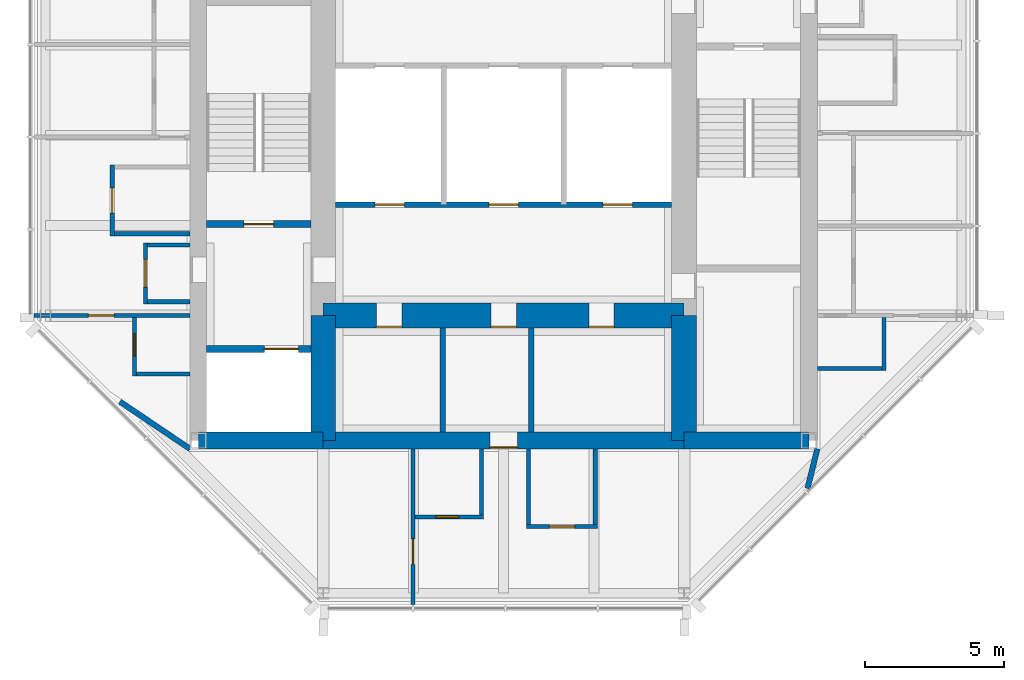
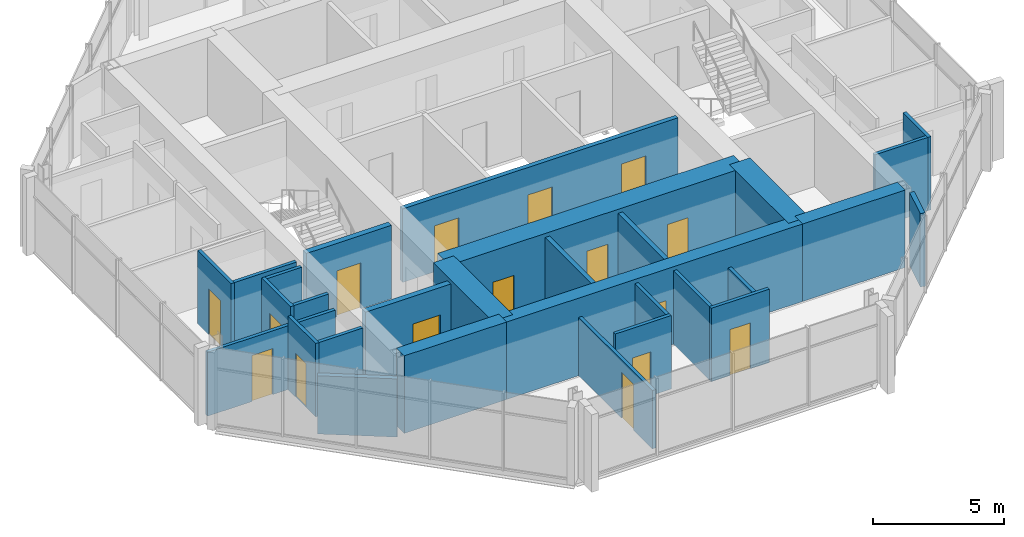
# One storey, part 5 of 9: 29 walls, 16 doors, 16 openings.
"""IFC4 building model written with IfcOpenShell, lengths in metres."""

import ifcopenshell
import ifcopenshell.guid

model = None  # the IFC model being written
_history = None  # IfcOwnerHistory: only IFC2X3 demands one
_inside = {}  # id of a spatial element -> (the spatial element, [elements in it])
_under = {}  # id of a project, library or spatial element -> (it, [spatial elements below it])
_declared = {}  # id of a project -> (the project, [libraries it declares])
_typed = {}  # id of a type object -> (the type object, [elements of that type])
_made_of = {}  # id of a material, layer set ... -> (it, [elements and type objects made of it])


def new_model(schema):
    """Start an empty IFC model of exactly this schema.

    Asked for "IFC4X3", IfcOpenShell would pick the latest addendum, in which some entities
    have other attributes; the version numbers below select the first issue.
    IFC2X3 requires an IfcOwnerHistory on every rooted entity: one is made here for all.
    """
    global model, _history
    if schema == "IFC4X3":
        model = ifcopenshell.file(schema_version=(4, 3, 0, 0))
    else:
        model = ifcopenshell.file(schema=schema)
    _inside.clear()
    _under.clear()
    _declared.clear()
    _typed.clear()
    _made_of.clear()
    _history = None
    if model.schema == "IFC2X3":
        org = make("IfcOrganization", Name="unknown")
        user = make(
            "IfcPersonAndOrganization",
            ThePerson=make("IfcPerson", FamilyName="unknown"),
            TheOrganization=org,
        )
        app = make(
            "IfcApplication",
            ApplicationDeveloper=org,
            Version="unknown",
            ApplicationFullName="unknown",
            ApplicationIdentifier="unknown",
        )
        _history = make(
            "IfcOwnerHistory",
            OwningUser=user,
            OwningApplication=app,
            ChangeAction="ADDED",
            CreationDate=0,
        )
    return model


def make(cls, **values):
    """One entity of the class cls with the attributes given. An attribute that is None is left unset."""
    return model.create_entity(
        cls, **{name: value for name, value in values.items() if value is not None}
    )


def rooted(cls, **values):
    """An entity with a GlobalId (a new one), such as an element, a storey or a relation."""
    return make(cls, GlobalId=ifcopenshell.guid.new(), OwnerHistory=_history, **values)


def si_unit(unit_type, name, prefix=None):
    """IfcSIUnit, for example si_unit("LENGTHUNIT", "METRE", prefix="MILLI")."""
    return make("IfcSIUnit", UnitType=unit_type, Prefix=prefix, Name=name)


def assignment(units):
    """IfcUnitAssignment: the units of a project."""
    return None if units is None else make("IfcUnitAssignment", Units=units)


def point(xyz):
    """IfcCartesianPoint."""
    return None if xyz is None else make("IfcCartesianPoint", Coordinates=xyz)


def direction(xyz):
    """IfcDirection."""
    return None if xyz is None else make("IfcDirection", DirectionRatios=xyz)


def frame(location, z_axis=None, x_axis=None):
    """IfcAxis2Placement3D, a coordinate frame: its origin and axes. An axis left out is left unset."""
    return make(
        "IfcAxis2Placement3D",
        Location=point(location),
        Axis=direction(z_axis),
        RefDirection=direction(x_axis),
    )


def frame_2d(location, x_axis=None):
    """IfcAxis2Placement2D, a coordinate frame in the plane: its origin and x axis."""
    return make(
        "IfcAxis2Placement2D", Location=point(location), RefDirection=direction(x_axis)
    )


def origin():
    """The frame at (0, 0, 0) with its axes left unset."""
    return frame((0.0, 0.0, 0.0))


def place(relative_to, where):
    """IfcLocalPlacement: puts the frame where relative to a parent placement (None: the world)."""
    return make(
        "IfcLocalPlacement", PlacementRelTo=relative_to, RelativePlacement=where
    )


def context(
    kind, dimensions, precision=None, world=None, true_north=None, identifier=None
):
    """IfcGeometricRepresentationContext, for example the 3D "Model" context."""
    return make(
        "IfcGeometricRepresentationContext",
        ContextIdentifier=identifier,
        ContextType=kind,
        CoordinateSpaceDimension=dimensions,
        Precision=precision,
        WorldCoordinateSystem=world,
        TrueNorth=true_north,
    )


def subcontext(parent, identifier, kind, view, scale=None):
    """IfcGeometricRepresentationSubContext, for example "Body" below "Model"."""
    return make(
        "IfcGeometricRepresentationSubContext",
        ContextIdentifier=identifier,
        ContextType=kind,
        ParentContext=parent,
        TargetScale=scale,
        TargetView=view,
    )


def project(units=None, contexts=None):
    """IfcProject with its units and contexts."""
    return rooted(
        "IfcProject",
        Name="project",
        RepresentationContexts=contexts,
        UnitsInContext=assignment(units),
    )


def spatial(cls, under=None, at=None, **own):
    """A site, building, storey or space (cls), placed at a placement, below another one or the project."""
    s = rooted(cls, ObjectPlacement=at, **own)
    if under is not None:
        _under.setdefault(under.id(), (under, []))[1].append(s)
    return s


def profile(cls, at=None, kind="AREA", **sizes):
    """A parametric profile (cls). Its sizes go by their IFC names, for example OverallWidth=200.0."""
    return make(cls, ProfileType=kind, Position=at, **sizes)


def rectangle(**sizes):
    """IfcRectangleProfileDef."""
    return profile("IfcRectangleProfileDef", **sizes)


def extrude(swept, where, along, depth):
    """IfcExtrudedAreaSolid: the profile swept, set in the frame where, extruded along a direction by depth."""
    return make(
        "IfcExtrudedAreaSolid",
        SweptArea=swept,
        Position=where,
        ExtrudedDirection=direction(along),
        Depth=depth,
    )


def shape(context_of_items, identifier, shape_type, items):
    """IfcShapeRepresentation: the items that make up one representation, for example the "Body"."""
    return make(
        "IfcShapeRepresentation",
        ContextOfItems=context_of_items,
        RepresentationIdentifier=identifier,
        RepresentationType=shape_type,
        Items=items,
    )


def material(Name=None, Category=None):
    """IfcMaterial."""
    return make("IfcMaterial", Name=Name, Category=Category)


def layer(
    of_material, thickness, ventilated=None, Name=None, Category=None, Priority=None
):
    """IfcMaterialLayer: one layer of a wall or slab, of a material (None: an air gap)."""
    return make(
        "IfcMaterialLayer",
        Material=of_material,
        LayerThickness=thickness,
        IsVentilated=ventilated,
        Name=Name,
        Category=Category,
        Priority=Priority,
    )


def layer_set(layers, Name=None):
    """IfcMaterialLayerSet."""
    return make("IfcMaterialLayerSet", MaterialLayers=layers, LayerSetName=Name)


def made_of(thing, what):
    """Note that an element or type object is made of a material, layer set ...; save() writes the relation."""
    if what is not None:
        _made_of.setdefault(what.id(), (what, []))[1].append(thing)
    return thing


def type_object(cls, material=None, **own):
    """A type object (cls), such as IfcWallType, which elements share."""
    return made_of(rooted(cls, **own), material)


def element(
    cls,
    number,
    at=None,
    inside=None,
    cuts=None,
    type_object=None,
    material=None,
    context=None,
    identifier="Body",
    shape_type=None,
    held_by="IfcProductDefinitionShape",
    body=None,
    shapes=None,
    **own,
):
    """One element of the class cls, such as IfcWall. Its Tag is "e" and its number.

    at: its placement. inside: the storey or other place that contains it. cuts: it is an
    opening in that element (IfcRelVoidsElement). A single representation is given by context,
    identifier, shape_type and body (its items); several are given by shapes. held_by: the class
    of the entity that holds the representations. save() writes the other relations.
    """
    e = rooted(cls, Tag="e%d" % number, ObjectPlacement=at, **own)
    if body is not None:
        shapes = [shape(context, identifier, shape_type, body)]
    if shapes is not None:
        e.Representation = make(held_by, Representations=shapes)
    if inside is not None:
        _inside.setdefault(inside.id(), (inside, []))[1].append(e)
    if cuts is not None:
        rooted(
            "IfcRelVoidsElement", RelatingBuildingElement=cuts, RelatedOpeningElement=e
        )
    if type_object is not None:
        _typed.setdefault(type_object.id(), (type_object, []))[1].append(e)
    return made_of(e, material)


def fill(opening, filler):
    """IfcRelFillsElement: the door or window that sits in an opening."""
    return rooted(
        "IfcRelFillsElement",
        RelatingOpeningElement=opening,
        RelatedBuildingElement=filler,
    )


def aggregate(whole, parts):
    """IfcRelAggregates: a whole, such as a stair, and the parts it consists of."""
    return rooted("IfcRelAggregates", RelatingObject=whole, RelatedObjects=parts)


def save(model, path):
    """Write the relations noted so far, then the file.

    IfcRelAggregates (storeys below a building ...), IfcRelContainedInSpatialStructure (elements
    in a storey), IfcRelDefinesByType, IfcRelAssociatesMaterial and IfcRelDeclares: one each for
    every whole, place, type object, material and project.
    """
    for whole, parts in _under.values():
        aggregate(whole, parts)
    for where, things in _inside.values():
        rooted(
            "IfcRelContainedInSpatialStructure",
            RelatedElements=things,
            RelatingStructure=where,
        )
    for kind, things in _typed.values():
        rooted("IfcRelDefinesByType", RelatedObjects=things, RelatingType=kind)
    for what, things in _made_of.values():
        rooted("IfcRelAssociatesMaterial", RelatedObjects=things, RelatingMaterial=what)
    for by, libraries in _declared.values():
        rooted("IfcRelDeclares", RelatingContext=by, RelatedDefinitions=libraries)
    model.write(path)


model = new_model("IFC4")

# Units and contexts
model_context = context("Model", 3, precision=1e-05, world=origin(), true_north=direction((0.0, 1.0)))
body_context = subcontext(model_context, "Body", "Model", "MODEL_VIEW")
ifc_project = project(units=[si_unit("LENGTHUNIT", "METRE"), si_unit("AREAUNIT", "SQUARE_METRE"), si_unit("VOLUMEUNIT", "CUBIC_METRE"), si_unit("PLANEANGLEUNIT", "RADIAN"), si_unit("MASSUNIT", "GRAM", prefix="KILO")], contexts=[model_context])

# Site, building, storey
site_placement = place(None, origin())
site = spatial("IfcSite", under=ifc_project, at=site_placement, CompositionType="ELEMENT")
building_placement = place(site_placement, origin())
building = spatial("IfcBuilding", under=site, at=building_placement, Name="Trevanion Tower", CompositionType="ELEMENT")
storey_placement = place(building_placement, frame((0.0, 0.0, 295.60009765625)))
storey = spatial("IfcBuildingStorey", under=building, at=storey_placement, Name="L73", CompositionType="ELEMENT", Elevation=295.60009765625)

# Wall
ifc_material_1 = material(Name="Concrete 10,000 psi", Category="concrete")
ifc_layer_1 = layer(ifc_material_1, 0.60009765625)
ifc_layer_set_1 = layer_set([ifc_layer_1], Name="CW1 core wall 600")
wall_type_1 = type_object("IfcWallType", Name="CW1 core wall 600", PredefinedType="SHEAR", material=ifc_layer_set_1)
wall_1_placement = place(storey_placement, frame((-11.0, -11.0, 0.0), z_axis=(0.0, 0.0, 1.0), x_axis=(1.0, 0.0, 0.0)))
element("IfcWall", 1, at=wall_1_placement, inside=storey, type_object=wall_type_1, Name="CW1 CS1 L73", PredefinedType="SHEAR", context=body_context, shape_type="SweptSolid", body=[
    extrude(rectangle(XDim=4.5, YDim=0.60009765625, at=frame_2d((2.25, 0.0))), origin(), (0.0, 0.0, 1.0), 3.599853515625),
])

# Wall, opening, door
wall_2_placement = place(storey_placement, frame((-6.5, -11.0, 0.0), z_axis=(0.0, 0.0, 1.0), x_axis=(1.0, 0.0, 0.0)))
wall_2 = element("IfcWall", 2, at=wall_2_placement, inside=storey, type_object=wall_type_1, Name="CW1 CS2 L73", PredefinedType="SHEAR", context=body_context, shape_type="SweptSolid", body=[
    extrude(rectangle(XDim=13.0, YDim=0.60009765625, at=frame_2d((6.5, 0.0))), origin(), (0.0, 0.0, 1.0), 3.599853515625),
])
opening_1_placement = place(wall_2_placement, frame((6.0, 0.0, 0.0)))
opening_1 = element("IfcOpeningElement", 3, at=opening_1_placement, cuts=wall_2, Name="Opening 73-022", PredefinedType="OPENING", context=body_context, shape_type="SweptSolid", body=[
    extrude(rectangle(XDim=1.0, YDim=2.134033203125, at=frame_2d((0.5, 1.06689453125))), frame((0.0, 0.31005859375, 0.0), z_axis=(0.0, -1.0, 0.0), x_axis=(1.0, 0.0, 0.0)), (0.0, 0.0, 1.0), 0.6201171875),
])
ifc_material_2 = material(Name="Timber veneer on steel frame, fire rated", Category="steel")
door_type_1 = type_object("IfcDoorType", Name="D13 residence entrance door", OperationType="SINGLE_SWING_RIGHT", PredefinedType="DOOR", material=ifc_material_2)
door_1_placement = place(opening_1_placement, origin())
door_1 = element("IfcDoor", 4, at=door_1_placement, inside=storey, type_object=door_type_1, Name="Door 73-022", OperationType="SINGLE_SWING_RIGHT", OverallHeight=2.134033203125, OverallWidth=1.0, PredefinedType="DOOR", context=body_context, shape_type="SweptSolid", body=[
    extrude(rectangle(XDim=1.0, YDim=2.134033203125, at=frame_2d((0.5, 1.06689453125))), frame((0.0, -0.22509765625, 0.0), z_axis=(0.0, -1.0, 0.0), x_axis=(1.0, 0.0, 0.0)), (0.0, 0.0, 1.0), 0.050048828125),
])
fill(opening_1, door_1)

# Walls
wall_3_placement = place(storey_placement, frame((6.5, -11.0, 0.0), z_axis=(0.0, 0.0, 1.0), x_axis=(1.0, 0.0, 0.0)))
element("IfcWall", 5, at=wall_3_placement, inside=storey, type_object=wall_type_1, Name="CW1 CS3 L73", PredefinedType="SHEAR", context=body_context, shape_type="SweptSolid", body=[
    extrude(rectangle(XDim=4.5, YDim=0.60009765625, at=frame_2d((2.25, 0.0))), origin(), (0.0, 0.0, 1.0), 3.599853515625),
])
ifc_material_3 = material(Name="Concrete 10,000 psi", Category="concrete")
ifc_layer_2 = layer(ifc_material_3, 0.89990234375)
ifc_layer_set_2 = layer_set([ifc_layer_2], Name="CW2 core wall 900")
wall_type_2 = type_object("IfcWallType", Name="CW2 core wall 900", PredefinedType="SHEAR", material=ifc_layer_set_2)
for number, where, z_axis, x_axis, name in (
    (6, (6.5, -11.0, 0.0), (0.0, 0.0, 1.0), (0.0, 1.0, 0.0), "CW2 RE1 L73"),
    (7, (-6.5, -6.5, 0.0), (0.0, 0.0, 1.0), (0.0, -1.0, 0.0), "CW2 RW3 L73"),
):
    element("IfcWall", number, at=place(storey_placement, frame(where, z_axis=z_axis, x_axis=x_axis)), inside=storey, type_object=wall_type_2, Name=name, PredefinedType="SHEAR", context=body_context, shape_type="SweptSolid", body=[
        extrude(rectangle(XDim=4.5, YDim=0.89990234375, at=frame_2d((2.25, 0.0))), origin(), (0.0, 0.0, 1.0), 3.599853515625),
    ])

# Wall, openings, doors
wall_4_placement = place(storey_placement, frame((-6.5, -6.5, 0.0), z_axis=(0.0, 0.0, 1.0), x_axis=(1.0, 0.0, 0.0)))
wall_4 = element("IfcWall", 8, at=wall_4_placement, inside=storey, type_object=wall_type_2, Name="CW2 RS L73", PredefinedType="SHEAR", context=body_context, shape_type="SweptSolid", body=[
    extrude(rectangle(XDim=13.0, YDim=0.89990234375, at=frame_2d((6.5, 0.0))), origin(), (0.0, 0.0, 1.0), 3.599853515625),
])
opening_2_placement = place(wall_4_placement, frame((6.04248046875, 0.0, 0.0)))
opening_2 = element("IfcOpeningElement", 9, at=opening_2_placement, cuts=wall_4, Name="Opening 73-021", PredefinedType="OPENING", context=body_context, shape_type="SweptSolid", body=[
    extrude(rectangle(XDim=0.9150390625, YDim=2.134033203125, at=frame_2d((0.45751953125, 1.06689453125))), frame((0.0, 0.4599609375, 0.0), z_axis=(0.0, -1.0, 0.0), x_axis=(1.0, 0.0, 0.0)), (0.0, 0.0, 1.0), 0.919921875),
])
opening_3_placement = place(wall_4_placement, frame((1.91748046875, 0.0, 0.0)))
opening_3 = element("IfcOpeningElement", 10, at=opening_3_placement, cuts=wall_4, Name="Opening 73-023", PredefinedType="OPENING", context=body_context, shape_type="SweptSolid", body=[
    extrude(rectangle(XDim=0.9150390625, YDim=2.134033203125, at=frame_2d((0.45751953125, 1.06689453125))), frame((0.0, 0.4599609375, 0.0), z_axis=(0.0, -1.0, 0.0), x_axis=(1.0, 0.0, 0.0)), (0.0, 0.0, 1.0), 0.919921875),
])
opening_4_placement = place(wall_4_placement, frame((9.5673828125, 0.0, 0.0)))
opening_4 = element("IfcOpeningElement", 11, at=opening_4_placement, cuts=wall_4, Name="Opening 73-024", PredefinedType="OPENING", context=body_context, shape_type="SweptSolid", body=[
    extrude(rectangle(XDim=0.9150390625, YDim=2.134033203125, at=frame_2d((0.45751953125, 1.06689453125))), frame((0.0, 0.4599609375, 0.0), z_axis=(0.0, -1.0, 0.0), x_axis=(1.0, 0.0, 0.0)), (0.0, 0.0, 1.0), 0.919921875),
])
ifc_material_4 = material(Name="Hollow metal, fire rated", Category="steel")
door_type_2 = type_object("IfcDoorType", Name="D3 fire lift lobby door", OperationType="SINGLE_SWING_RIGHT", PredefinedType="DOOR", material=ifc_material_4)
door_2_placement = place(opening_2_placement, origin())
door_2 = element("IfcDoor", 12, at=door_2_placement, inside=storey, type_object=door_type_2, Name="Door 73-021", OperationType="SINGLE_SWING_RIGHT", OverallHeight=2.134033203125, OverallWidth=0.9150390625, PredefinedType="DOOR", context=body_context, shape_type="SweptSolid", body=[
    extrude(rectangle(XDim=0.9150390625, YDim=2.134033203125, at=frame_2d((0.45751953125, 1.06689453125))), frame((0.0, -0.375, 0.0), z_axis=(0.0, -1.0, 0.0), x_axis=(1.0, 0.0, 0.0)), (0.0, 0.0, 1.0), 0.050048828125),
])
fill(opening_2, door_2)
ifc_material_5 = material(Name="Hollow metal, fire rated", Category="steel")
door_type_3 = type_object("IfcDoorType", Name="D5 service room door", OperationType="SINGLE_SWING_RIGHT", PredefinedType="DOOR", material=ifc_material_5)
door_3_placement = place(opening_3_placement, origin())
door_3 = element("IfcDoor", 13, at=door_3_placement, inside=storey, type_object=door_type_3, Name="Door 73-023", OperationType="SINGLE_SWING_RIGHT", OverallHeight=2.134033203125, OverallWidth=0.9150390625, PredefinedType="DOOR", context=body_context, shape_type="SweptSolid", body=[
    extrude(rectangle(XDim=0.9150390625, YDim=2.134033203125, at=frame_2d((0.45751953125, 1.06689453125))), frame((0.0, -0.375, 0.0), z_axis=(0.0, -1.0, 0.0), x_axis=(1.0, 0.0, 0.0)), (0.0, 0.0, 1.0), 0.050048828125),
])
fill(opening_3, door_3)
door_4_placement = place(opening_4_placement, origin())
door_4 = element("IfcDoor", 14, at=door_4_placement, inside=storey, type_object=door_type_3, Name="Door 73-024", OperationType="SINGLE_SWING_RIGHT", OverallHeight=2.134033203125, OverallWidth=0.9150390625, PredefinedType="DOOR", context=body_context, shape_type="SweptSolid", body=[
    extrude(rectangle(XDim=0.9150390625, YDim=2.134033203125, at=frame_2d((0.45751953125, 1.06689453125))), frame((0.0, -0.375, 0.0), z_axis=(0.0, -1.0, 0.0), x_axis=(1.0, 0.0, 0.0)), (0.0, 0.0, 1.0), 0.050048828125),
])
fill(opening_4, door_4)

# Walls
ifc_material_6 = material(Name="Gypsum board on steel studs", Category="steel")
ifc_layer_3 = layer(ifc_material_6, 0.14990234375)
ifc_layer_set_3 = layer_set([ifc_layer_3], Name="PT1 partition 150")
wall_type_3 = type_object("IfcWallType", Name="PT1 partition 150", PredefinedType="PARTITIONING", material=ifc_layer_set_3)
wall_5_placement = place(storey_placement, frame((13.699951171875, -6.574951171875, 0.0), z_axis=(0.0, 0.0, 1.0), x_axis=(0.0, -1.0, 0.0)))
element("IfcWall", 15, at=wall_5_placement, inside=storey, type_object=wall_type_3, Name="PT1 L73 RETF", PredefinedType="PARTITIONING", context=body_context, shape_type="SweptSolid", body=[
    extrude(rectangle(XDim=1.900146484375, YDim=0.14990234375, at=frame_2d((0.9501953125, 0.0))), origin(), (0.0, 0.0, 1.0), 3.409912109375),
])
wall_6_placement = place(storey_placement, frame((11.300048828125, -8.39990234375, 0.0), z_axis=(0.0, 0.0, 1.0), x_axis=(1.0, 0.0, 0.0)))
element("IfcWall", 16, at=wall_6_placement, inside=storey, type_object=wall_type_3, Name="PT1 L73 RETA", PredefinedType="PARTITIONING", context=body_context, shape_type="SweptSolid", body=[
    extrude(rectangle(XDim=2.324951171875, YDim=0.14990234375, at=frame_2d((1.16259765625, 0.0))), origin(), (0.0, 0.0, 1.0), 3.409912109375),
])

# Wall, opening, door
wall_7_placement = place(storey_placement, frame((-11.300048828125, -6.5, 0.0), z_axis=(0.0, 0.0, 1.0), x_axis=(-1.0, 0.0, 0.0)))
wall_7 = element("IfcWall", 17, at=wall_7_placement, inside=storey, type_object=wall_type_3, Name="PT1 L73 RWC3", PredefinedType="PARTITIONING", context=body_context, shape_type="SweptSolid", body=[
    extrude(rectangle(XDim=5.614990234375, YDim=0.14990234375, at=frame_2d((2.8076171875, 0.0))), origin(), (0.0, 0.0, 1.0), 2.965576171875),
])
opening_5_placement = place(wall_7_placement, frame((2.742431640625, 0.0, 0.0)))
opening_5 = element("IfcOpeningElement", 18, at=opening_5_placement, cuts=wall_7, Name="Opening 73-044", PredefinedType="OPENING", context=body_context, shape_type="SweptSolid", body=[
    extrude(rectangle(XDim=0.9150390625, YDim=2.134033203125, at=frame_2d((0.45751953125, 1.06689453125))), frame((0.0, 0.0849609375, 0.0), z_axis=(0.0, -1.0, 0.0), x_axis=(1.0, 0.0, 0.0)), (0.0, 0.0, 1.0), 0.169921875),
])
ifc_material_7 = material(Name="Timber veneer, solid core", Category="wood")
door_type_4 = type_object("IfcDoorType", Name="D1 office and meeting room door", OperationType="SINGLE_SWING_LEFT", PredefinedType="DOOR", material=ifc_material_7)
door_5_placement = place(opening_5_placement, origin())
door_5 = element("IfcDoor", 19, at=door_5_placement, inside=storey, type_object=door_type_4, Name="Door 73-044", OperationType="SINGLE_SWING_LEFT", OverallHeight=2.134033203125, OverallWidth=0.9150390625, PredefinedType="DOOR", context=body_context, shape_type="SweptSolid", body=[
    extrude(rectangle(XDim=0.9150390625, YDim=2.134033203125, at=frame_2d((0.45751953125, 1.06689453125))), frame((0.0, 0.02490234375, 0.0), z_axis=(0.0, -1.0, 0.0), x_axis=(1.0, 0.0, 0.0)), (0.0, 0.0, 1.0), 0.050048828125),
])
fill(opening_5, door_5)

# Walls
for number, where, z_axis, x_axis, name in (
    (20, (-11.300048828125, -3.949951171875, 0.0), (0.0, 0.0, 1.0), (-1.0, 0.0, 0.0), "PT1 L73 RWEA"),
    (21, (-11.300048828125, -6.0, 0.0), (0.0, 0.0, 1.0), (-1.0, 0.0, 0.0), "PT1 L73 RWEB"),
):
    element("IfcWall", number, at=place(storey_placement, frame(where, z_axis=z_axis, x_axis=x_axis)), inside=storey, type_object=wall_type_3, Name=name, PredefinedType="PARTITIONING", context=body_context, shape_type="SweptSolid", body=[
        extrude(rectangle(XDim=1.52490234375, YDim=0.14990234375, at=frame_2d((0.762451171875, 0.0))), origin(), (0.0, 0.0, 1.0), 3.409912109375),
    ])

# Wall, opening, door
wall_8_placement = place(storey_placement, frame((-14.10009765625, -1.074951171875, 0.0), z_axis=(0.0, 0.0, 1.0), x_axis=(0.0, -1.0, 0.0)))
wall_8 = element("IfcWall", 22, at=wall_8_placement, inside=storey, type_object=wall_type_3, Name="PT1 L73 RWKF", PredefinedType="PARTITIONING", context=body_context, shape_type="SweptSolid", body=[
    extrude(rectangle(XDim=2.550048828125, YDim=0.14990234375, at=frame_2d((1.27490234375, 0.0))), origin(), (0.0, 0.0, 1.0), 3.409912109375),
])
opening_6_placement = place(wall_8_placement, frame((0.8173828125, 0.0, 0.0)))
opening_6 = element("IfcOpeningElement", 23, at=opening_6_placement, cuts=wall_8, Name="Opening 73-037", PredefinedType="OPENING", context=body_context, shape_type="SweptSolid", body=[
    extrude(rectangle(XDim=0.9150390625, YDim=2.134033203125, at=frame_2d((0.45751953125, 1.06689453125))), frame((0.0, 0.0849609375, 0.0), z_axis=(0.0, -1.0, 0.0), x_axis=(1.0, 0.0, 0.0)), (0.0, 0.0, 1.0), 0.169921875),
])
door_6_placement = place(opening_6_placement, origin())
door_6 = element("IfcDoor", 24, at=door_6_placement, inside=storey, type_object=door_type_4, Name="Door 73-037", OperationType="SINGLE_SWING_LEFT", OverallHeight=2.134033203125, OverallWidth=0.9150390625, PredefinedType="DOOR", context=body_context, shape_type="SweptSolid", body=[
    extrude(rectangle(XDim=0.9150390625, YDim=2.134033203125, at=frame_2d((0.45751953125, 1.06689453125))), frame((0.0, 0.02490234375, 0.0), z_axis=(0.0, -1.0, 0.0), x_axis=(1.0, 0.0, 0.0)), (0.0, 0.0, 1.0), 0.050048828125),
])
fill(opening_6, door_6)

# Wall
wall_9_placement = place(storey_placement, frame((-11.300048828125, -3.550048828125, 0.0), z_axis=(0.0, 0.0, 1.0), x_axis=(-1.0, 0.0, 0.0)))
element("IfcWall", 25, at=wall_9_placement, inside=storey, type_object=wall_type_3, Name="PT1 L73 RWKB", PredefinedType="PARTITIONING", context=body_context, shape_type="SweptSolid", body=[
    extrude(rectangle(XDim=2.724853515625, YDim=0.14990234375, at=frame_2d((1.3623046875, 0.0))), origin(), (0.0, 0.0, 1.0), 3.409912109375),
])

# Wall, opening, door
wall_10_placement = place(storey_placement, frame((-13.300048828125, -6.574951171875, 0.0), z_axis=(0.0, 0.0, 1.0), x_axis=(0.0, -1.0, 0.0)))
wall_10 = element("IfcWall", 26, at=wall_10_placement, inside=storey, type_object=wall_type_3, Name="PT1 L73 RWWF", PredefinedType="PARTITIONING", context=body_context, shape_type="SweptSolid", body=[
    extrude(rectangle(XDim=2.10009765625, YDim=0.14990234375, at=frame_2d((1.050048828125, 0.0))), origin(), (0.0, 0.0, 1.0), 3.409912109375),
])
opening_7_placement = place(wall_10_placement, frame((0.568603515625, 0.0, 0.0)))
opening_7 = element("IfcOpeningElement", 27, at=opening_7_placement, cuts=wall_10, Name="Opening 73-038", PredefinedType="OPENING", context=body_context, shape_type="SweptSolid", body=[
    extrude(rectangle(XDim=0.81298828125, YDim=2.031982421875, at=frame_2d((0.406494140625, 1.01611328125))), frame((0.0, 0.0849609375, 0.0), z_axis=(0.0, -1.0, 0.0), x_axis=(1.0, 0.0, 0.0)), (0.0, 0.0, 1.0), 0.169921875),
])
ifc_material_8 = material(Name="Timber veneer", Category="wood")
door_type_5 = type_object("IfcDoorType", Name="D14 residence bathroom door", OperationType="SINGLE_SWING_LEFT", PredefinedType="DOOR", material=ifc_material_8)
door_7_placement = place(opening_7_placement, origin())
door_7 = element("IfcDoor", 28, at=door_7_placement, inside=storey, type_object=door_type_5, Name="Door 73-038", OperationType="SINGLE_SWING_LEFT", OverallHeight=2.031982421875, OverallWidth=0.81298828125, PredefinedType="DOOR", context=body_context, shape_type="SweptSolid", body=[
    extrude(rectangle(XDim=0.81298828125, YDim=2.031982421875, at=frame_2d((0.406494140625, 1.01611328125))), frame((0.0, 0.02490234375, 0.0), z_axis=(0.0, -1.0, 0.0), x_axis=(1.0, 0.0, 0.0)), (0.0, 0.0, 1.0), 0.050048828125),
])
fill(opening_7, door_7)

# Wall
wall_11_placement = place(storey_placement, frame((-11.300048828125, -8.60009765625, 0.0), z_axis=(0.0, 0.0, 1.0), x_axis=(-1.0, 0.0, 0.0)))
element("IfcWall", 29, at=wall_11_placement, inside=storey, type_object=wall_type_3, Name="PT1 L73 RWWB", PredefinedType="PARTITIONING", context=body_context, shape_type="SweptSolid", body=[
    extrude(rectangle(XDim=1.925048828125, YDim=0.14990234375, at=frame_2d((0.96240234375, 0.0))), origin(), (0.0, 0.0, 1.0), 3.409912109375),
])

# Wall, opening, door
wall_12_placement = place(storey_placement, frame((-3.26611328125, -11.300048828125, 0.0), z_axis=(0.0, 0.0, 1.0), x_axis=(0.0, -1.0, 0.0)))
wall_12 = element("IfcWall", 30, at=wall_12_placement, inside=storey, type_object=wall_type_3, Name="PT1 L73 RSC0", PredefinedType="PARTITIONING", context=body_context, shape_type="SweptSolid", body=[
    extrude(rectangle(XDim=5.614990234375, YDim=0.14990234375, at=frame_2d((2.8076171875, 0.0))), origin(), (0.0, 0.0, 1.0), 2.708984375),
])
opening_8_placement = place(wall_12_placement, frame((3.242431640625, 0.0, 0.0)))
opening_8 = element("IfcOpeningElement", 31, at=opening_8_placement, cuts=wall_12, Name="Opening 73-047", PredefinedType="OPENING", context=body_context, shape_type="SweptSolid", body=[
    extrude(rectangle(XDim=0.9150390625, YDim=2.134033203125, at=frame_2d((0.45751953125, 1.06689453125))), frame((0.0, 0.0849609375, 0.0), z_axis=(0.0, -1.0, 0.0), x_axis=(1.0, 0.0, 0.0)), (0.0, 0.0, 1.0), 0.169921875),
])
door_8_placement = place(opening_8_placement, origin())
door_8 = element("IfcDoor", 32, at=door_8_placement, inside=storey, type_object=door_type_4, Name="Door 73-047", OperationType="SINGLE_SWING_LEFT", OverallHeight=2.134033203125, OverallWidth=0.9150390625, PredefinedType="DOOR", context=body_context, shape_type="SweptSolid", body=[
    extrude(rectangle(XDim=0.9150390625, YDim=2.134033203125, at=frame_2d((0.45751953125, 1.06689453125))), frame((0.0, 0.02490234375, 0.0), z_axis=(0.0, -1.0, 0.0), x_axis=(1.0, 0.0, 0.0)), (0.0, 0.0, 1.0), 0.050048828125),
])
fill(opening_8, door_8)

wall_13_placement = place(storey_placement, frame((0.824951171875, -14.10009765625, 0.0), z_axis=(0.0, 0.0, 1.0), x_axis=(1.0, 0.0, 0.0)))
wall_13 = element("IfcWall", 33, at=wall_13_placement, inside=storey, type_object=wall_type_3, Name="PT1 L73 RSKF", PredefinedType="PARTITIONING", context=body_context, shape_type="SweptSolid", body=[
    extrude(rectangle(XDim=2.550048828125, YDim=0.14990234375, at=frame_2d((1.27490234375, 0.0))), origin(), (0.0, 0.0, 1.0), 3.409912109375),
])
opening_9_placement = place(wall_13_placement, frame((0.8173828125, 0.0, 0.0)))
opening_9 = element("IfcOpeningElement", 34, at=opening_9_placement, cuts=wall_13, Name="Opening 73-045", PredefinedType="OPENING", context=body_context, shape_type="SweptSolid", body=[
    extrude(rectangle(XDim=0.9150390625, YDim=2.134033203125, at=frame_2d((0.45751953125, 1.06689453125))), frame((0.0, 0.0849609375, 0.0), z_axis=(0.0, -1.0, 0.0), x_axis=(1.0, 0.0, 0.0)), (0.0, 0.0, 1.0), 0.169921875),
])
door_9_placement = place(opening_9_placement, origin())
door_9 = element("IfcDoor", 35, at=door_9_placement, inside=storey, type_object=door_type_4, Name="Door 73-045", OperationType="SINGLE_SWING_LEFT", OverallHeight=2.134033203125, OverallWidth=0.9150390625, PredefinedType="DOOR", context=body_context, shape_type="SweptSolid", body=[
    extrude(rectangle(XDim=0.9150390625, YDim=2.134033203125, at=frame_2d((0.45751953125, 1.06689453125))), frame((0.0, 0.02490234375, 0.0), z_axis=(0.0, -1.0, 0.0), x_axis=(1.0, 0.0, 0.0)), (0.0, 0.0, 1.0), 0.050048828125),
])
fill(opening_9, door_9)

# Walls
wall_14_placement = place(storey_placement, frame((0.89990234375, -11.300048828125, 0.0), z_axis=(0.0, 0.0, 1.0), x_axis=(0.0, -1.0, 0.0)))
element("IfcWall", 36, at=wall_14_placement, inside=storey, type_object=wall_type_3, Name="PT1 L73 RSKA", PredefinedType="PARTITIONING", context=body_context, shape_type="SweptSolid", body=[
    extrude(rectangle(XDim=2.724853515625, YDim=0.14990234375, at=frame_2d((1.3623046875, 0.0))), origin(), (0.0, 0.0, 1.0), 3.409912109375),
])
wall_15_placement = place(storey_placement, frame((3.300048828125, -11.300048828125, 0.0), z_axis=(0.0, 0.0, 1.0), x_axis=(0.0, -1.0, 0.0)))
element("IfcWall", 37, at=wall_15_placement, inside=storey, type_object=wall_type_3, Name="PT1 L73 RSKB", PredefinedType="PARTITIONING", context=body_context, shape_type="SweptSolid", body=[
    extrude(rectangle(XDim=2.724853515625, YDim=0.14990234375, at=frame_2d((1.3623046875, 0.0))), origin(), (0.0, 0.0, 1.0), 2.708984375),
])

# Wall, opening, door
wall_16_placement = place(storey_placement, frame((-3.19091796875, -13.75, 0.0), z_axis=(0.0, 0.0, 1.0), x_axis=(1.0, 0.0, 0.0)))
wall_16 = element("IfcWall", 38, at=wall_16_placement, inside=storey, type_object=wall_type_3, Name="PT1 L73 RSTF", PredefinedType="PARTITIONING", context=body_context, shape_type="SweptSolid", body=[
    extrude(rectangle(XDim=2.4658203125, YDim=0.14990234375, at=frame_2d((1.23291015625, 0.0))), origin(), (0.0, 0.0, 1.0), 3.409912109375),
])
opening_10_placement = place(wall_16_placement, frame((0.75146484375, 0.0, 0.0)))
opening_10 = element("IfcOpeningElement", 39, at=opening_10_placement, cuts=wall_16, Name="Opening 73-046", PredefinedType="OPENING", context=body_context, shape_type="SweptSolid", body=[
    extrude(rectangle(XDim=0.81298828125, YDim=2.031982421875, at=frame_2d((0.406494140625, 1.01611328125))), frame((0.0, 0.0849609375, 0.0), z_axis=(0.0, -1.0, 0.0), x_axis=(1.0, 0.0, 0.0)), (0.0, 0.0, 1.0), 0.169921875),
])
door_10_placement = place(opening_10_placement, origin())
door_10 = element("IfcDoor", 40, at=door_10_placement, inside=storey, type_object=door_type_5, Name="Door 73-046", OperationType="SINGLE_SWING_LEFT", OverallHeight=2.031982421875, OverallWidth=0.81298828125, PredefinedType="DOOR", context=body_context, shape_type="SweptSolid", body=[
    extrude(rectangle(XDim=0.81298828125, YDim=2.031982421875, at=frame_2d((0.406494140625, 1.01611328125))), frame((0.0, 0.02490234375, 0.0), z_axis=(0.0, -1.0, 0.0), x_axis=(1.0, 0.0, 0.0)), (0.0, 0.0, 1.0), 0.050048828125),
])
fill(opening_10, door_10)

# Wall
wall_17_placement = place(storey_placement, frame((-0.800048828125, -11.300048828125, 0.0), z_axis=(0.0, 0.0, 1.0), x_axis=(0.0, -1.0, 0.0)))
element("IfcWall", 41, at=wall_17_placement, inside=storey, type_object=wall_type_3, Name="PT1 L73 RSTB", PredefinedType="PARTITIONING", context=body_context, shape_type="SweptSolid", body=[
    extrude(rectangle(XDim=2.375, YDim=0.14990234375, at=frame_2d((1.1875, 0.0))), origin(), (0.0, 0.0, 1.0), 3.409912109375),
])

# Wall, opening, door
ifc_material_9 = material(Name="Gypsum board on steel studs", Category="steel")
ifc_layer_4 = layer(ifc_material_9, 0.14990234375)
ifc_layer_set_4 = layer_set([ifc_layer_4], Name="PT1 partition 150 1 HR")
wall_type_4 = type_object("IfcWallType", Name="PT1 partition 150 1 HR", PredefinedType="PARTITIONING", material=ifc_layer_set_4)
wall_18_placement = place(storey_placement, frame((-12.89990234375, -3.875, 0.0), z_axis=(0.0, 0.0, 1.0), x_axis=(0.0, -1.0, 0.0)))
wall_18 = element("IfcWall", 42, at=wall_18_placement, inside=storey, type_object=wall_type_4, Name="PT1 L73 RWEF", PredefinedType="PARTITIONING", context=body_context, shape_type="SweptSolid", body=[
    extrude(rectangle(XDim=2.199951171875, YDim=0.14990234375, at=frame_2d((1.10009765625, 0.0))), origin(), (0.0, 0.0, 1.0), 3.409912109375),
])
opening_11_placement = place(wall_18_placement, frame((0.60009765625, 0.0, 0.0)))
opening_11 = element("IfcOpeningElement", 43, at=opening_11_placement, cuts=wall_18, Name="Opening 73-036", PredefinedType="OPENING", context=body_context, shape_type="SweptSolid", body=[
    extrude(rectangle(XDim=1.0, YDim=2.134033203125, at=frame_2d((0.5, 1.06689453125))), frame((0.0, 0.0849609375, 0.0), z_axis=(0.0, -1.0, 0.0), x_axis=(1.0, 0.0, 0.0)), (0.0, 0.0, 1.0), 0.169921875),
])
door_11_placement = place(opening_11_placement, origin())
door_11 = element("IfcDoor", 44, at=door_11_placement, inside=storey, type_object=door_type_1, Name="Door 73-036", OperationType="SINGLE_SWING_RIGHT", OverallHeight=2.134033203125, OverallWidth=1.0, PredefinedType="DOOR", context=body_context, shape_type="SweptSolid", body=[
    extrude(rectangle(XDim=1.0, YDim=2.134033203125, at=frame_2d((0.5, 1.06689453125))), frame((0.0, 0.02490234375, 0.0), z_axis=(0.0, -1.0, 0.0), x_axis=(1.0, 0.0, 0.0)), (0.0, 0.0, 1.0), 0.050048828125),
])
fill(opening_11, door_11)

# Wall, openings, doors
ifc_material_10 = material(Name="Concrete masonry, grouted", Category="masonry")
ifc_layer_5 = layer(ifc_material_10, 0.199951171875)
ifc_layer_set_5 = layer_set([ifc_layer_5], Name="PT2 partition 200 1 HR")
wall_type_5 = type_object("IfcWallType", Name="PT2 partition 200 1 HR", PredefinedType="PARTITIONING", material=ifc_layer_set_5)
wall_19_placement = place(storey_placement, frame((6.050048828125, -2.5, 0.0), z_axis=(0.0, 0.0, 1.0), x_axis=(-1.0, 0.0, 0.0)))
wall_19 = element("IfcWall", 45, at=wall_19_placement, inside=storey, type_object=wall_type_5, Name="PT2 L73 CP2", PredefinedType="PARTITIONING", context=body_context, shape_type="SweptSolid", body=[
    extrude(rectangle(XDim=12.10009765625, YDim=0.199951171875, at=frame_2d((6.050048828125, 0.0))), origin(), (0.0, 0.0, 1.0), 3.409912109375),
])
opening_12_placement = place(wall_19_placement, frame((9.624755859375, 0.0, 0.0)))
opening_12 = element("IfcOpeningElement", 46, at=opening_12_placement, cuts=wall_19, Name="Opening 73-012", PredefinedType="OPENING", context=body_context, shape_type="SweptSolid", body=[
    extrude(rectangle(XDim=1.06689453125, YDim=2.134033203125, at=frame_2d((0.533447265625, 1.06689453125))), frame((0.0, 0.10986328125, 0.0), z_axis=(0.0, -1.0, 0.0), x_axis=(1.0, 0.0, 0.0)), (0.0, 0.0, 1.0), 0.219970703125),
])
opening_13_placement = place(wall_19_placement, frame((5.5166015625, 0.0, 0.0)))
opening_13 = element("IfcOpeningElement", 47, at=opening_13_placement, cuts=wall_19, Name="Opening 73-014", PredefinedType="OPENING", context=body_context, shape_type="SweptSolid", body=[
    extrude(rectangle(XDim=1.06689453125, YDim=2.134033203125, at=frame_2d((0.533447265625, 1.06689453125))), frame((0.0, 0.10986328125, 0.0), z_axis=(0.0, -1.0, 0.0), x_axis=(1.0, 0.0, 0.0)), (0.0, 0.0, 1.0), 0.219970703125),
])
opening_14_placement = place(wall_19_placement, frame((1.408203125, 0.0, 0.0)))
opening_14 = element("IfcOpeningElement", 48, at=opening_14_placement, cuts=wall_19, Name="Opening 73-016", PredefinedType="OPENING", context=body_context, shape_type="SweptSolid", body=[
    extrude(rectangle(XDim=1.06689453125, YDim=2.134033203125, at=frame_2d((0.533447265625, 1.06689453125))), frame((0.0, 0.10986328125, 0.0), z_axis=(0.0, -1.0, 0.0), x_axis=(1.0, 0.0, 0.0)), (0.0, 0.0, 1.0), 0.219970703125),
])
ifc_material_11 = material(Name="Stainless steel, fire rated", Category="steel")
door_type_6 = type_object("IfcDoorType", Name="LD1 lift landing door", OperationType="SLIDING_TO_LEFT", PredefinedType="DOOR", material=ifc_material_11)
door_12_placement = place(opening_12_placement, origin())
door_12 = element("IfcDoor", 49, at=door_12_placement, inside=storey, type_object=door_type_6, Name="Door 73-012", OperationType="SLIDING_TO_LEFT", OverallHeight=2.134033203125, OverallWidth=1.06689453125, PredefinedType="DOOR", context=body_context, shape_type="SweptSolid", body=[
    extrude(rectangle(XDim=1.06689453125, YDim=2.134033203125, at=frame_2d((0.533447265625, 1.06689453125))), frame((0.0, 0.02490234375, 0.0), z_axis=(0.0, -1.0, 0.0), x_axis=(1.0, 0.0, 0.0)), (0.0, 0.0, 1.0), 0.050048828125),
])
fill(opening_12, door_12)
door_13_placement = place(opening_13_placement, origin())
door_13 = element("IfcDoor", 50, at=door_13_placement, inside=storey, type_object=door_type_6, Name="Door 73-014", OperationType="SLIDING_TO_LEFT", OverallHeight=2.134033203125, OverallWidth=1.06689453125, PredefinedType="DOOR", context=body_context, shape_type="SweptSolid", body=[
    extrude(rectangle(XDim=1.06689453125, YDim=2.134033203125, at=frame_2d((0.533447265625, 1.06689453125))), frame((0.0, 0.02490234375, 0.0), z_axis=(0.0, -1.0, 0.0), x_axis=(1.0, 0.0, 0.0)), (0.0, 0.0, 1.0), 0.050048828125),
])
fill(opening_13, door_13)
door_14_placement = place(opening_14_placement, origin())
door_14 = element("IfcDoor", 51, at=door_14_placement, inside=storey, type_object=door_type_6, Name="Door 73-016", OperationType="SLIDING_TO_LEFT", OverallHeight=2.134033203125, OverallWidth=1.06689453125, PredefinedType="DOOR", context=body_context, shape_type="SweptSolid", body=[
    extrude(rectangle(XDim=1.06689453125, YDim=2.134033203125, at=frame_2d((0.533447265625, 1.06689453125))), frame((0.0, 0.02490234375, 0.0), z_axis=(0.0, -1.0, 0.0), x_axis=(1.0, 0.0, 0.0)), (0.0, 0.0, 1.0), 0.050048828125),
])
fill(opening_14, door_14)

# Walls
for number, where, z_axis, x_axis, name in (
    (52, (-2.199951171875, -6.949951171875, 0.0), (0.0, 0.0, 1.0), (0.0, -1.0, 0.0), "PT2 L73 CSP1"),
    (53, (1.0, -6.949951171875, 0.0), (0.0, 0.0, 1.0), (0.0, -1.0, 0.0), "PT2 L73 CSP2"),
):
    element("IfcWall", number, at=place(storey_placement, frame(where, z_axis=z_axis, x_axis=x_axis)), inside=storey, type_object=wall_type_5, Name=name, PredefinedType="PARTITIONING", context=body_context, shape_type="SweptSolid", body=[
        extrude(rectangle(XDim=3.75, YDim=0.199951171875, at=frame_2d((1.875, 0.0))), origin(), (0.0, 0.0, 1.0), 3.409912109375),
    ])
wall_20_placement = place(storey_placement, frame((-11.300048828125, -11.300048828125, 0.0), z_axis=(0.0, 0.0, 1.0), x_axis=(-0.829279340477, 0.558834300538, 0.0)))
element("IfcWall", 54, at=wall_20_placement, inside=storey, type_object=wall_type_5, Name="PT2 L73 UB2", PredefinedType="PARTITIONING", context=body_context, shape_type="SweptSolid", body=[
    extrude(rectangle(XDim=3.047607421875, YDim=0.199951171875, at=frame_2d((1.52392578125, 0.0))), origin(), (0.0, 0.0, 1.0), 2.70361328125),
])
wall_21_placement = place(storey_placement, frame((11.300048828125, -11.300048828125, 0.0), z_axis=(0.0, 0.0, 1.0), x_axis=(-0.24050983258, -0.970646702169, 0.0)))
element("IfcWall", 55, at=wall_21_placement, inside=storey, type_object=wall_type_5, Name="PT2 L73 UB3", PredefinedType="PARTITIONING", context=body_context, shape_type="SweptSolid", body=[
    extrude(rectangle(XDim=1.474853515625, YDim=0.199951171875, at=frame_2d((0.7373046875, 0.0))), origin(), (0.0, 0.0, 1.0), 3.409912109375),
])

# Wall, opening, door
ifc_material_12 = material(Name="Concrete masonry, grouted, two-hour", Category="masonry")
ifc_layer_6 = layer(ifc_material_12, 0.25)
ifc_layer_set_6 = layer_set([ifc_layer_6], Name="PT3 partition 250 2 HR")
wall_type_6 = type_object("IfcWallType", Name="PT3 partition 250 2 HR", PredefinedType="PARTITIONING", material=ifc_layer_set_6)
wall_22_placement = place(storey_placement, frame((-6.949951171875, -7.699951171875, 0.0), z_axis=(0.0, 0.0, 1.0), x_axis=(-1.0, 0.0, 0.0)))
wall_22 = element("IfcWall", 56, at=wall_22_placement, inside=storey, type_object=wall_type_6, Name="PT3 L73 WP3", PredefinedType="PARTITIONING", context=body_context, shape_type="SweptSolid", body=[
    extrude(rectangle(XDim=3.75, YDim=0.25, at=frame_2d((1.875, 0.0))), origin(), (0.0, 0.0, 1.0), 3.409912109375),
])
opening_15_placement = place(wall_22_placement, frame((0.449951171875, 0.0, 0.0)))
opening_15 = element("IfcOpeningElement", 57, at=opening_15_placement, cuts=wall_22, Name="Opening 73-008", PredefinedType="OPENING", context=body_context, shape_type="SweptSolid", body=[
    extrude(rectangle(XDim=1.218994140625, YDim=2.134033203125, at=frame_2d((0.609375, 1.06689453125))), frame((0.0, 0.135009765625, 0.0), z_axis=(0.0, -1.0, 0.0), x_axis=(1.0, 0.0, 0.0)), (0.0, 0.0, 1.0), 0.27001953125),
])
ifc_material_13 = material(Name="Stainless steel, fire rated", Category="steel")
door_type_7 = type_object("IfcDoorType", Name="LD2 fire service lift landing door", OperationType="SLIDING_TO_LEFT", PredefinedType="DOOR", material=ifc_material_13)
door_15_placement = place(opening_15_placement, origin())
door_15 = element("IfcDoor", 58, at=door_15_placement, inside=storey, type_object=door_type_7, Name="Door 73-008", OperationType="SLIDING_TO_LEFT", OverallHeight=2.134033203125, OverallWidth=1.218994140625, PredefinedType="DOOR", context=body_context, shape_type="SweptSolid", body=[
    extrude(rectangle(XDim=1.218994140625, YDim=2.134033203125, at=frame_2d((0.609375, 1.06689453125))), frame((0.0, 0.02490234375, 0.0), z_axis=(0.0, -1.0, 0.0), x_axis=(1.0, 0.0, 0.0)), (0.0, 0.0, 1.0), 0.050048828125),
])
fill(opening_15, door_15)

ifc_material_14 = material(Name="Reinforced masonry, fully grouted", Category="masonry")
ifc_layer_7 = layer(ifc_material_14, 0.25)
ifc_layer_set_7 = layer_set([ifc_layer_7], Name="SW1 stair shaft wall 250")
wall_type_7 = type_object("IfcWallType", Name="SW1 stair shaft wall 250", PredefinedType="SOLIDWALL", material=ifc_layer_set_7)
wall_23_placement = place(storey_placement, frame((-6.949951171875, -3.199951171875, 0.0), z_axis=(0.0, 0.0, 1.0), x_axis=(-1.0, 0.0, 0.0)))
wall_23 = element("IfcWall", 59, at=wall_23_placement, inside=storey, type_object=wall_type_7, Name="SW1 L73 WP2", PredefinedType="SOLIDWALL", context=body_context, shape_type="SweptSolid", body=[
    extrude(rectangle(XDim=3.75, YDim=0.25, at=frame_2d((1.875, 0.0))), origin(), (0.0, 0.0, 1.0), 3.409912109375),
])
opening_16_placement = place(wall_23_placement, frame((1.341552734375, 0.0, 0.0)))
opening_16 = element("IfcOpeningElement", 60, at=opening_16_placement, cuts=wall_23, Name="Opening 73-006", PredefinedType="OPENING", context=body_context, shape_type="SweptSolid", body=[
    extrude(rectangle(XDim=1.06689453125, YDim=2.134033203125, at=frame_2d((0.533447265625, 1.06689453125))), frame((0.0, 0.135009765625, 0.0), z_axis=(0.0, -1.0, 0.0), x_axis=(1.0, 0.0, 0.0)), (0.0, 0.0, 1.0), 0.27001953125),
])
ifc_material_15 = material(Name="Hollow metal, fire rated", Category="steel")
door_type_8 = type_object("IfcDoorType", Name="D2 exit stair door", OperationType="SINGLE_SWING_LEFT", PredefinedType="DOOR", material=ifc_material_15)
door_16_placement = place(opening_16_placement, origin())
door_16 = element("IfcDoor", 61, at=door_16_placement, inside=storey, type_object=door_type_8, Name="Door 73-006", OperationType="SINGLE_SWING_LEFT", OverallHeight=2.134033203125, OverallWidth=1.06689453125, PredefinedType="DOOR", context=body_context, shape_type="SweptSolid", body=[
    extrude(rectangle(XDim=1.06689453125, YDim=2.134033203125, at=frame_2d((0.533447265625, 1.06689453125))), frame((0.0, 0.02490234375, 0.0), z_axis=(0.0, -1.0, 0.0), x_axis=(1.0, 0.0, 0.0)), (0.0, 0.0, 1.0), 0.050048828125),
])
fill(opening_16, door_16)

save(model, "model.ifc")
